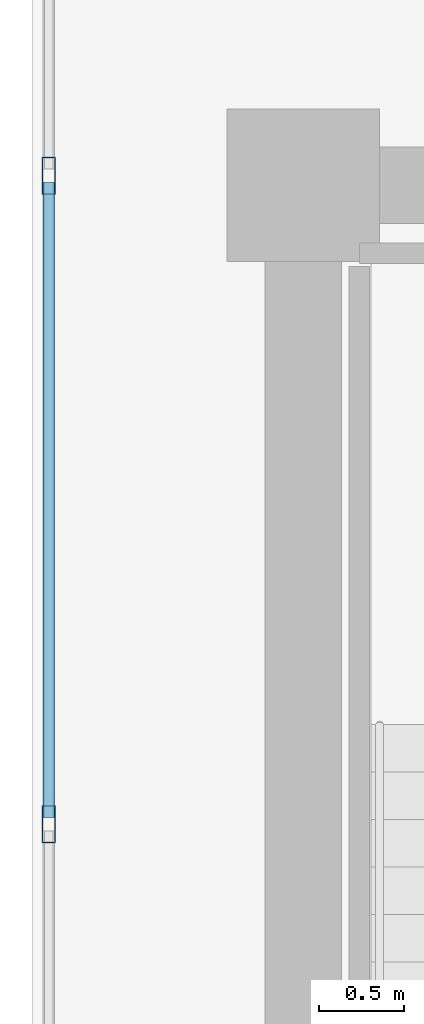
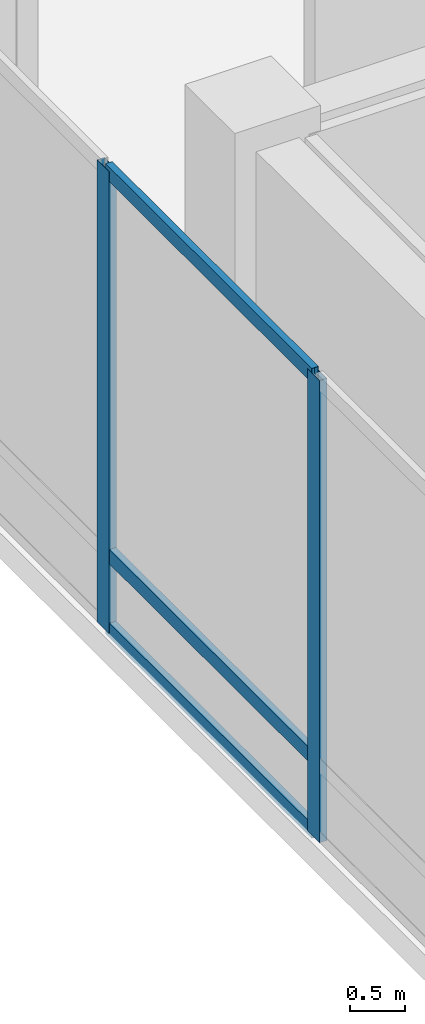
# One storey, part 11 of 30: 5 members, 1 element without a shape of its own.
"""IFC4 building model written with IfcOpenShell, lengths in metres."""

from ifc_helpers import new_model, si_unit, direction, frame, origin, origin_2d, place, context, subcontext, project, spatial, hollow_rectangle, extrude, source, transform, mapped, material, layer, layer_set, material_profile, profile_set, type_object, type_shapes, element, aggregate, save


model = new_model("IFC4")

# Units and contexts
model_context = context("Model", 3, precision=1e-05, world=origin(), true_north=direction((0.0, 1.0)))
body_context = subcontext(model_context, "Body", "Model", "MODEL_VIEW")
ifc_project = project(units=[si_unit("LENGTHUNIT", "METRE"), si_unit("AREAUNIT", "SQUARE_METRE"), si_unit("VOLUMEUNIT", "CUBIC_METRE"), si_unit("PLANEANGLEUNIT", "RADIAN"), si_unit("MASSUNIT", "GRAM", prefix="KILO")], contexts=[model_context])

# Site, building, storey
site_placement = place(None, origin())
site = spatial("IfcSite", under=ifc_project, at=site_placement, CompositionType="ELEMENT")
building_placement = place(site_placement, origin())
building = spatial("IfcBuilding", under=site, at=building_placement, Name="Haelvirn Gate Laboratories", CompositionType="ELEMENT")
storey_placement = place(building_placement, frame((0.0, 0.0, 327.0)))
storey = spatial("IfcBuildingStorey", under=building, at=storey_placement, Name="L78", CompositionType="ELEMENT", Elevation=327.0)

# Curtain wall, members
ifc_material_1 = material(Name="Anodised bronze unitised aluminium & triple low-E glass", Category="aluminium")
ifc_layer = layer(ifc_material_1, 0.19189453125, Name="CW-SYS-6")
ifc_layer_set = layer_set([ifc_layer], Name="Anodised bronze unitised aluminium & triple low-E glass")
curtain_wall_type = type_object("IfcCurtainWallType", Name="CW-SYS-6", PredefinedType="NOTDEFINED", material=ifc_layer_set)
curtain_wall_placement = place(storey_placement, origin())
curtain_wall = element("IfcCurtainWall", 1, at=curtain_wall_placement, inside=storey, type_object=curtain_wall_type, Name="L78 Unitised Curtain Wall CW-L78-P0-E17", PredefinedType="NOTDEFINED")
ifc_material_2 = material(Name="Extruded aluminium 6063-T6 (anodised bronze)", Category="aluminium")
ifc_material_profile_1 = material_profile(ifc_material_2, hollow_rectangle(XDim=0.080078125, YDim=0.219970703125, WallThickness=0.006103515625, at=origin_2d()), Name="CWM-220x80x6")
ifc_profile_set_1 = profile_set([ifc_material_profile_1], Name="Extruded aluminium 6063-T6 (anodised bronze)")
member_type_1 = type_object("IfcMemberType", Name="CWM-T220", PredefinedType="MULLION", material=ifc_profile_set_1)
shared_shape_1 = source(origin(), body_context, "Body", "SweptSolid", [
    extrude(hollow_rectangle(XDim=0.080078125, YDim=0.219970703125, WallThickness=0.006103515625, at=origin_2d()), origin(), (0.0, 0.0, 1.0), 5.1201171875),
])
type_shapes(member_type_1, [shared_shape_1])
member_1_placement = place(storey_placement, frame((5.89990234375, 33.85546875, 0.0), z_axis=(0.0, 0.0, 1.0), x_axis=(1.0, 0.0, 0.0)))
member_1 = element("IfcMember", 2, at=member_1_placement, type_object=member_type_1, Name="CW6 mullion 3", PredefinedType="MULLION", context=body_context, shape_type="MappedRepresentation", body=[
    mapped(shared_shape_1, transform((0.0, 0.0, 0.0), scale=1.0)),
])
member_2_placement = place(storey_placement, frame((5.89990234375, 30.033447265625, 0.0), z_axis=(0.0, 0.0, 1.0), x_axis=(1.0, 0.0, 0.0)))
member_2 = element("IfcMember", 3, at=member_2_placement, type_object=member_type_1, Name="CW6 mullion 4", PredefinedType="MULLION", context=body_context, shape_type="MappedRepresentation", body=[
    mapped(shared_shape_1, transform((0.0, 0.0, 0.0), scale=1.0)),
])
ifc_material_profile_2 = material_profile(ifc_material_2, hollow_rectangle(XDim=0.070068359375, YDim=0.159912109375, WallThickness=0.0048828125, at=origin_2d()), Name="CWT-160x70x5")
ifc_profile_set_2 = profile_set([ifc_material_profile_2], Name="Extruded aluminium 6063-T6 (anodised bronze)")
member_type_2 = type_object("IfcMemberType", Name="CWT-T160", PredefinedType="USERDEFINED", material=ifc_profile_set_2)
shared_shape_2 = source(origin(), body_context, "Body", "SweptSolid", [
    extrude(hollow_rectangle(XDim=0.070068359375, YDim=0.159912109375, WallThickness=0.0048828125, at=origin_2d()), origin(), (0.0, 0.0, 1.0), 3.742431640625),
])
type_shapes(member_type_2, [shared_shape_2])
member_3_placement = place(storey_placement, frame((5.89990234375, 33.815673828125, 0.034912109375), z_axis=(0.0, -1.0, 0.0), x_axis=(1.0, 0.0, 0.0)))
member_3 = element("IfcMember", 4, at=member_3_placement, type_object=member_type_2, Name="CW6 transom 3.1", ObjectType="TRANSOM", PredefinedType="USERDEFINED", context=body_context, shape_type="MappedRepresentation", body=[
    mapped(shared_shape_2, transform((0.0, 0.0, 0.0), scale=1.0)),
])
member_4_placement = place(storey_placement, frame((5.89990234375, 33.815673828125, 0.85009765625), z_axis=(0.0, -1.0, 0.0), x_axis=(1.0, 0.0, 0.0)))
member_4 = element("IfcMember", 5, at=member_4_placement, type_object=member_type_2, Name="CW6 transom 3.2", ObjectType="TRANSOM", PredefinedType="USERDEFINED", context=body_context, shape_type="MappedRepresentation", body=[
    mapped(shared_shape_2, transform((0.0, 0.0, 0.0), scale=1.0)),
])
member_5_placement = place(storey_placement, frame((5.89990234375, 33.815673828125, 5.0849609375), z_axis=(0.0, -1.0, 0.0), x_axis=(1.0, 0.0, 0.0)))
member_5 = element("IfcMember", 6, at=member_5_placement, type_object=member_type_2, Name="CW6 transom 3.3", ObjectType="TRANSOM", PredefinedType="USERDEFINED", context=body_context, shape_type="MappedRepresentation", body=[
    mapped(shared_shape_2, transform((0.0, 0.0, 0.0), scale=1.0)),
])
aggregate(curtain_wall, [member_1, member_2, member_3, member_4, member_5])

save(model, "model.ifc")
